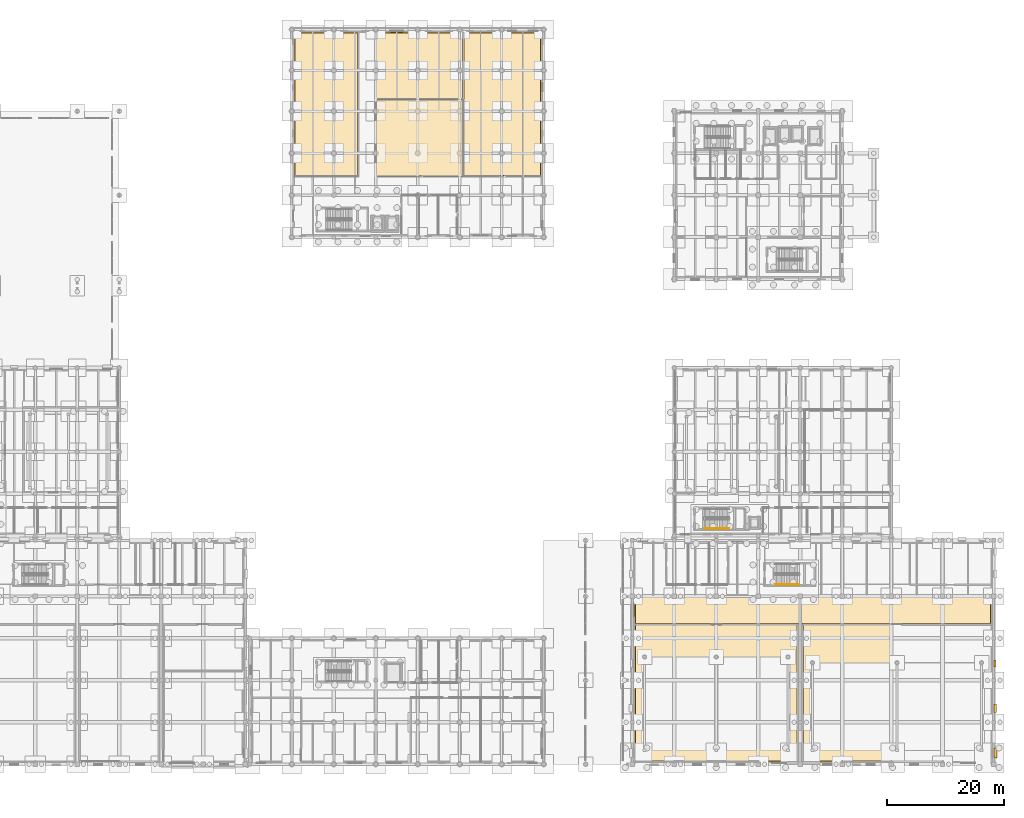
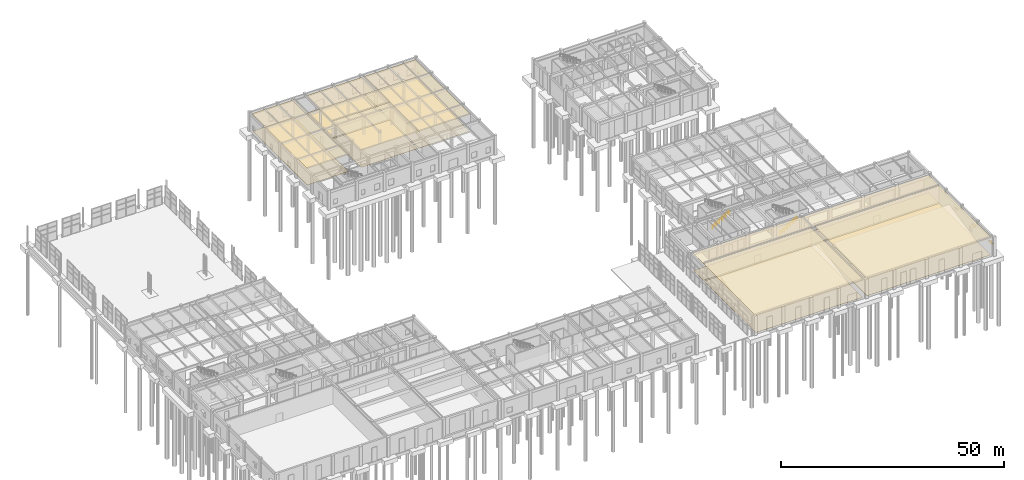
# One storey, part 86 of 91: 14 coverings, 3 shading devices, 2 railings.
"""IFC4 building model written with IfcOpenShell, lengths in metres."""

from ifc_helpers import new_model, si_unit, direction, frame, origin, origin_2d, place, context, subcontext, project, spatial, polyline, rectangle, circle, outline, extrude, material, layer, layer_set, type_object, element, save


model = new_model("IFC4")

# Units and contexts
model_context = context("Model", 3, precision=1e-05, world=origin(), true_north=direction((0.0, 1.0)))
body_context = subcontext(model_context, "Body", "Model", "MODEL_VIEW")
ifc_project = project(units=[si_unit("LENGTHUNIT", "METRE"), si_unit("AREAUNIT", "SQUARE_METRE"), si_unit("VOLUMEUNIT", "CUBIC_METRE"), si_unit("PLANEANGLEUNIT", "RADIAN"), si_unit("MASSUNIT", "GRAM", prefix="KILO")], contexts=[model_context])

# Site, building, storey
site_placement = place(None, origin())
site = spatial("IfcSite", under=ifc_project, at=site_placement, CompositionType="ELEMENT")
building_placement = place(site_placement, origin())
building = spatial("IfcBuilding", under=site, at=building_placement, Name="Bramveld Media Centre", CompositionType="ELEMENT")
storey_placement = place(building_placement, origin())
storey = spatial("IfcBuildingStorey", under=building, at=storey_placement, Name="L00", CompositionType="ELEMENT", Elevation=0.0)

# Coverings
ifc_material_1 = material(Name="Perforated acoustic mineral-fibre & oak-slat suspended ceiling")
ifc_layer_1 = layer(ifc_material_1, 0.044921875)
ifc_layer_set_1 = layer_set([ifc_layer_1], Name="Perforated acoustic mineral-fibre & oak-slat suspended ceiling")
covering_type_1 = type_object("IfcCoveringType", Name="COV-CEIL-01", PredefinedType="CEILING", material=ifc_layer_set_1)
covering_1_placement = place(storey_placement, frame((0.0, 0.0, 4.7548828125)))
element("IfcCovering", 1, at=covering_1_placement, inside=storey, type_object=covering_type_1, Name="Cinema 2 Festival Auditorium acoustic suspended ceiling", PredefinedType="CEILING", context=body_context, shape_type="SweptSolid", body=[
    extrude(outline(polyline([(153.199951171875, 0.39990234375), (185.60009765625, 0.39990234375), (185.60009765625, 24.0), (153.199951171875, 24.0), (153.199951171875, 0.39990234375)])), origin(), (0.0, 0.0, 1.0), 0.045166015625),
])
covering_2_placement = place(storey_placement, frame((0.0, 0.0, 4.72509765625)))
element("IfcCovering", 2, at=covering_2_placement, inside=storey, type_object=covering_type_1, Name="Kinetic Light & Media Art Gallery acoustic suspended ceiling", PredefinedType="CEILING", context=body_context, shape_type="SweptSolid", body=[
    extrude(outline(polyline([(80.0, 100.800048828125), (95.0, 100.800048828125), (95.0, 114.0), (80.0, 114.0), (80.0, 100.800048828125)])), origin(), (0.0, 0.0, 1.0), 0.044921875),
])
covering_3_placement = place(storey_placement, frame((0.0, 0.0, 4.72509765625)))
element("IfcCovering", 3, at=covering_3_placement, inside=storey, type_object=covering_type_1, Name="Art Crate Unpacking & Transit Store acoustic suspended ceiling", PredefinedType="CEILING", context=body_context, shape_type="SweptSolid", body=[
    extrude(outline(polyline([(95.0, 100.800048828125), (108.39990234375, 100.800048828125), (108.39990234375, 125.60009765625), (95.0, 125.60009765625), (95.0, 100.800048828125)])), origin(), (0.0, 0.0, 1.0), 0.044921875),
])
ifc_material_2 = material(Name="Spring-isolated studio acoustic gypsum & mineral-wool ceiling")
ifc_layer_2 = layer(ifc_material_2, 0.06005859375)
ifc_layer_set_2 = layer_set([ifc_layer_2], Name="Spring-isolated studio acoustic gypsum & mineral-wool ceiling")
covering_type_2 = type_object("IfcCoveringType", Name="COV-CEIL-02", PredefinedType="CEILING", material=ifc_layer_set_2)
covering_4_placement = place(storey_placement, frame((0.0, 0.0, 4.739990234375)))
element("IfcCovering", 4, at=covering_4_placement, inside=storey, type_object=covering_type_2, Name="Cinema 1 Grand Premiere Auditorium acoustic suspended ceiling", PredefinedType="CEILING", context=body_context, shape_type="SweptSolid", body=[
    extrude(outline(polyline([(124.39990234375, 0.39990234375), (152.39990234375, 0.39990234375), (152.39990234375, 24.0), (124.39990234375, 24.0), (124.39990234375, 0.39990234375)])), origin(), (0.0, 0.0, 1.0), 0.06005859375),
])
covering_5_placement = place(storey_placement, frame((0.0, 0.0, 4.739990234375)))
element("IfcCovering", 5, at=covering_5_placement, inside=storey, type_object=covering_type_2, Name="Grand Cinema Concourse Circulation Lobby acoustic suspended ceiling", PredefinedType="CEILING", context=body_context, shape_type="SweptSolid", body=[
    extrude(outline(polyline([(124.39990234375, 24.0), (185.60009765625, 24.0), (185.60009765625, 28.800048828125), (124.39990234375, 28.800048828125), (124.39990234375, 24.0)])), origin(), (0.0, 0.0, 1.0), 0.06005859375),
])
covering_6_placement = place(storey_placement, frame((0.0, 0.0, 4.7099609375)))
element("IfcCovering", 6, at=covering_6_placement, inside=storey, type_object=covering_type_2, Name="Canal-Front Exhibition Hall 1 acoustic suspended ceiling", PredefinedType="CEILING", context=body_context, shape_type="SweptSolid", body=[
    extrude(outline(polyline([(66.0, 100.800048828125), (77.0, 100.800048828125), (77.0, 125.60009765625), (66.0, 125.60009765625), (66.0, 100.800048828125)])), origin(), (0.0, 0.0, 1.0), 0.06005859375),
])
covering_7_placement = place(storey_placement, frame((0.0, 0.0, 4.7099609375)))
element("IfcCovering", 7, at=covering_7_placement, inside=storey, type_object=covering_type_2, Name="Canal Promenade Cafe & Circulation Lobby acoustic suspended ceiling", PredefinedType="CEILING", context=body_context, shape_type="SweptSolid", body=[
    extrude(outline(polyline([(80.0, 114.0), (95.0, 114.0), (95.0, 125.60009765625), (80.0, 125.60009765625), (80.0, 114.0)])), origin(), (0.0, 0.0, 1.0), 0.06005859375),
])
ifc_material_3 = material(Name="Floating acoustic screed with smoked European oak studio flooring")
ifc_layer_3 = layer(ifc_material_3, 0.06494140625)
ifc_layer_set_3 = layer_set([ifc_layer_3], Name="Floating acoustic screed with smoked European oak studio flooring")
covering_type_3 = type_object("IfcCoveringType", Name="COV-FLOOR-01", PredefinedType="FLOORING", material=ifc_layer_set_3)
covering_8_placement = place(storey_placement, origin())
element("IfcCovering", 8, at=covering_8_placement, inside=storey, type_object=covering_type_3, Name="Grand Cinema Concourse Circulation Lobby finish flooring", PredefinedType="FLOORING", context=body_context, shape_type="SweptSolid", body=[
    extrude(outline(polyline([(124.550048828125, 24.14990234375), (185.449951171875, 24.14990234375), (185.449951171875, 28.64990234375), (124.550048828125, 28.64990234375), (124.550048828125, 24.14990234375)])), origin(), (0.0, 0.0, 1.0), 0.06494140625),
])
covering_9_placement = place(storey_placement, origin())
element("IfcCovering", 9, at=covering_9_placement, inside=storey, type_object=covering_type_3, Name="Canal-Front Exhibition Hall 1 finish flooring", PredefinedType="FLOORING", context=body_context, shape_type="SweptSolid", body=[
    extrude(outline(polyline([(66.14990234375, 100.949951171875), (76.85009765625, 100.949951171875), (76.85009765625, 125.449951171875), (66.14990234375, 125.449951171875), (66.14990234375, 100.949951171875)])), origin(), (0.0, 0.0, 1.0), 0.06494140625),
])
covering_10_placement = place(storey_placement, origin())
element("IfcCovering", 10, at=covering_10_placement, inside=storey, type_object=covering_type_3, Name="Art Crate Unpacking & Transit Store finish flooring", PredefinedType="FLOORING", context=body_context, shape_type="SweptSolid", body=[
    extrude(outline(polyline([(95.14990234375, 100.949951171875), (108.25, 100.949951171875), (108.25, 125.449951171875), (95.14990234375, 125.449951171875), (95.14990234375, 100.949951171875)])), origin(), (0.0, 0.0, 1.0), 0.06494140625),
])
ifc_material_4 = material(Name="Honed Belgian bluestone (petit granit) public concourse flooring", Category="masonry")
ifc_layer_4 = layer(ifc_material_4, 0.050048828125)
ifc_layer_set_4 = layer_set([ifc_layer_4], Name="Honed Belgian bluestone (petit granit) public concourse flooring")
covering_type_4 = type_object("IfcCoveringType", Name="COV-FLOOR-02", PredefinedType="FLOORING", material=ifc_layer_set_4)
covering_11_placement = place(storey_placement, origin())
element("IfcCovering", 11, at=covering_11_placement, inside=storey, type_object=covering_type_4, Name="Cinema 1 Grand Premiere Auditorium finish flooring", PredefinedType="FLOORING", context=body_context, shape_type="SweptSolid", body=[
    extrude(outline(polyline([(124.550048828125, 0.550048828125), (152.25, 0.550048828125), (152.25, 23.85009765625), (124.550048828125, 23.85009765625), (124.550048828125, 0.550048828125)])), origin(), (0.0, 0.0, 1.0), 0.050048828125),
])
covering_12_placement = place(storey_placement, origin())
element("IfcCovering", 12, at=covering_12_placement, inside=storey, type_object=covering_type_4, Name="Kinetic Light & Media Art Gallery finish flooring", PredefinedType="FLOORING", context=body_context, shape_type="SweptSolid", body=[
    extrude(outline(polyline([(80.14990234375, 100.949951171875), (94.85009765625, 100.949951171875), (94.85009765625, 113.85009765625), (80.14990234375, 113.85009765625), (80.14990234375, 100.949951171875)])), origin(), (0.0, 0.0, 1.0), 0.050048828125),
])
ifc_material_5 = material(Name="Anti-static acoustic linoleum editing & vault flooring")
ifc_layer_5 = layer(ifc_material_5, 0.0400390625)
ifc_layer_set_5 = layer_set([ifc_layer_5], Name="Anti-static acoustic linoleum editing & vault flooring")
covering_type_5 = type_object("IfcCoveringType", Name="COV-FLOOR-03", PredefinedType="FLOORING", material=ifc_layer_set_5)
covering_13_placement = place(storey_placement, origin())
element("IfcCovering", 13, at=covering_13_placement, inside=storey, type_object=covering_type_5, Name="Cinema 2 Festival Auditorium finish flooring", PredefinedType="FLOORING", context=body_context, shape_type="SweptSolid", body=[
    extrude(outline(polyline([(153.35009765625, 0.550048828125), (185.449951171875, 0.550048828125), (185.449951171875, 23.85009765625), (153.35009765625, 23.85009765625), (153.35009765625, 0.550048828125)])), origin(), (0.0, 0.0, 1.0), 0.0400390625),
])
covering_14_placement = place(storey_placement, origin())
element("IfcCovering", 14, at=covering_14_placement, inside=storey, type_object=covering_type_5, Name="Canal Promenade Cafe & Circulation Lobby finish flooring", PredefinedType="FLOORING", context=body_context, shape_type="SweptSolid", body=[
    extrude(outline(polyline([(80.14990234375, 114.14990234375), (94.85009765625, 114.14990234375), (94.85009765625, 125.449951171875), (80.14990234375, 125.449951171875), (80.14990234375, 114.14990234375)])), origin(), (0.0, 0.0, 1.0), 0.0400390625),
])

# Railings
ifc_material_6 = material(Name="Brushed stainless steel tubular stair handrail", Category="steel")
railing_type = type_object("IfcRailingType", Name="RAIL-STAIR-HAND-0920", PredefinedType="HANDRAIL", material=ifc_material_6)
railing_1_placement = place(storey_placement, frame((148.449951171875, 30.85009765625, 0.168701171875)))
element("IfcRailing", 15, at=railing_1_placement, inside=storey, type_object=railing_type, Name="L00 ST-03 stair handrail 1", PredefinedType="HANDRAIL", context=body_context, shape_type="SweptSolid", body=[
    extrude(circle(Radius=0.02392578125, at=origin_2d()), frame((0.0, 0.0, 0.8759765625), z_axis=(0.856476492594, 0.0, 0.516186030065), x_axis=(0.0, 1.0, 0.0)), (0.0, 0.0, 1.0), 4.90380859375),
    extrude(circle(Radius=0.02099609375, at=origin_2d()), origin(), (0.0, 0.0, 1.0), 0.851806640625),
    extrude(circle(Radius=0.02099609375, at=origin_2d()), frame((0.840087890625, 0.0, 0.50634765625)), (0.0, 0.0, 1.0), 0.851806640625),
    extrude(circle(Radius=0.02099609375, at=origin_2d()), frame((1.679931640625, 0.0, 1.012451171875)), (0.0, 0.0, 1.0), 0.851806640625),
    extrude(circle(Radius=0.02099609375, at=origin_2d()), frame((2.52001953125, 0.0, 1.518798828125)), (0.0, 0.0, 1.0), 0.851806640625),
    extrude(circle(Radius=0.02099609375, at=origin_2d()), frame((3.35986328125, 0.0, 2.02490234375)), (0.0, 0.0, 1.0), 0.851806640625),
    extrude(circle(Radius=0.02099609375, at=origin_2d()), frame((4.199951171875, 0.0, 2.53125)), (0.0, 0.0, 1.0), 0.851806640625),
])
railing_2_placement = place(storey_placement, frame((136.39990234375, 40.449951171875, 0.168701171875)))
element("IfcRailing", 16, at=railing_2_placement, inside=storey, type_object=railing_type, Name="L00 ST-08 stair handrail 1", PredefinedType="HANDRAIL", context=body_context, shape_type="SweptSolid", body=[
    extrude(circle(Radius=0.02392578125, at=origin_2d()), frame((0.0, 0.0, 0.8759765625), z_axis=(0.856489757249, 0.0, 0.516164020179), x_axis=(0.0, 1.0, 0.0)), (0.0, 0.0, 1.0), 4.904052734375),
    extrude(circle(Radius=0.02099609375, at=origin_2d()), origin(), (0.0, 0.0, 1.0), 0.851806640625),
    extrude(circle(Radius=0.02099609375, at=origin_2d()), frame((0.840087890625, 0.0, 0.50634765625)), (0.0, 0.0, 1.0), 0.851806640625),
    extrude(circle(Radius=0.02099609375, at=origin_2d()), frame((1.68017578125, 0.0, 1.012451171875)), (0.0, 0.0, 1.0), 0.851806640625),
    extrude(circle(Radius=0.02099609375, at=origin_2d()), frame((2.52001953125, 0.0, 1.518798828125)), (0.0, 0.0, 1.0), 0.851806640625),
    extrude(circle(Radius=0.02099609375, at=origin_2d()), frame((3.360107421875, 0.0, 2.02490234375)), (0.0, 0.0, 1.0), 0.851806640625),
    extrude(circle(Radius=0.02099609375, at=origin_2d()), frame((4.2001953125, 0.0, 2.53125)), (0.0, 0.0, 1.0), 0.851806640625),
])

# Shading devices
ifc_material_7 = material(Name="Anodized bronze extruded aluminium solar shading fin", Category="aluminium")
shading_device_type_1 = type_object("IfcShadingDeviceType", Name="SHD-BRISE-350", PredefinedType="JALOUSIE", material=ifc_material_7)
shading_device_1_placement = place(storey_placement, frame((186.175048828125, 17.280029296875, 2.35986328125), z_axis=(0.0, 0.0, 1.0), x_axis=(1.0, 0.0, 0.0)))
element("IfcShadingDevice", 17, at=shading_device_1_placement, inside=storey, type_object=shading_device_type_1, Name="Bronze solar shading fin 3", PredefinedType="JALOUSIE", context=body_context, shape_type="SweptSolid", body=[
    extrude(rectangle(XDim=0.35009765625, YDim=1.25, at=origin_2d()), origin(), (0.0, 0.0, 1.0), 0.06005859375),
])
ifc_material_8 = material(Name="Anodized bronze extruded aluminium solar shading fin", Category="aluminium")
shading_device_type_2 = type_object("IfcShadingDeviceType", Name="SHD-BRISE-450", PredefinedType="JALOUSIE", material=ifc_material_8)
shading_device_2_placement = place(storey_placement, frame((186.22509765625, 9.60009765625, 2.35986328125), z_axis=(0.0, 0.0, 1.0), x_axis=(1.0, 0.0, 0.0)))
element("IfcShadingDevice", 18, at=shading_device_2_placement, inside=storey, type_object=shading_device_type_2, Name="Bronze solar shading fin 4", PredefinedType="JALOUSIE", context=body_context, shape_type="SweptSolid", body=[
    extrude(rectangle(XDim=0.449951171875, YDim=1.449951171875, at=origin_2d()), origin(), (0.0, 0.0, 1.0), 0.06005859375),
])
ifc_material_9 = material(Name="Anodized bronze extruded aluminium solar shading fin", Category="aluminium")
shading_device_type_3 = type_object("IfcShadingDeviceType", Name="SHD-BRISE-550", PredefinedType="JALOUSIE", material=ifc_material_9)
shading_device_3_placement = place(storey_placement, frame((186.27490234375, 1.919921875, 2.35986328125), z_axis=(0.0, 0.0, 1.0), x_axis=(1.0, 0.0, 0.0)))
element("IfcShadingDevice", 19, at=shading_device_3_placement, inside=storey, type_object=shading_device_type_3, Name="Bronze solar shading fin 5", PredefinedType="JALOUSIE", context=body_context, shape_type="SweptSolid", body=[
    extrude(rectangle(XDim=0.550048828125, YDim=1.64990234375, at=origin_2d()), origin(), (0.0, 0.0, 1.0), 0.06005859375),
])

save(model, "model.ifc")
